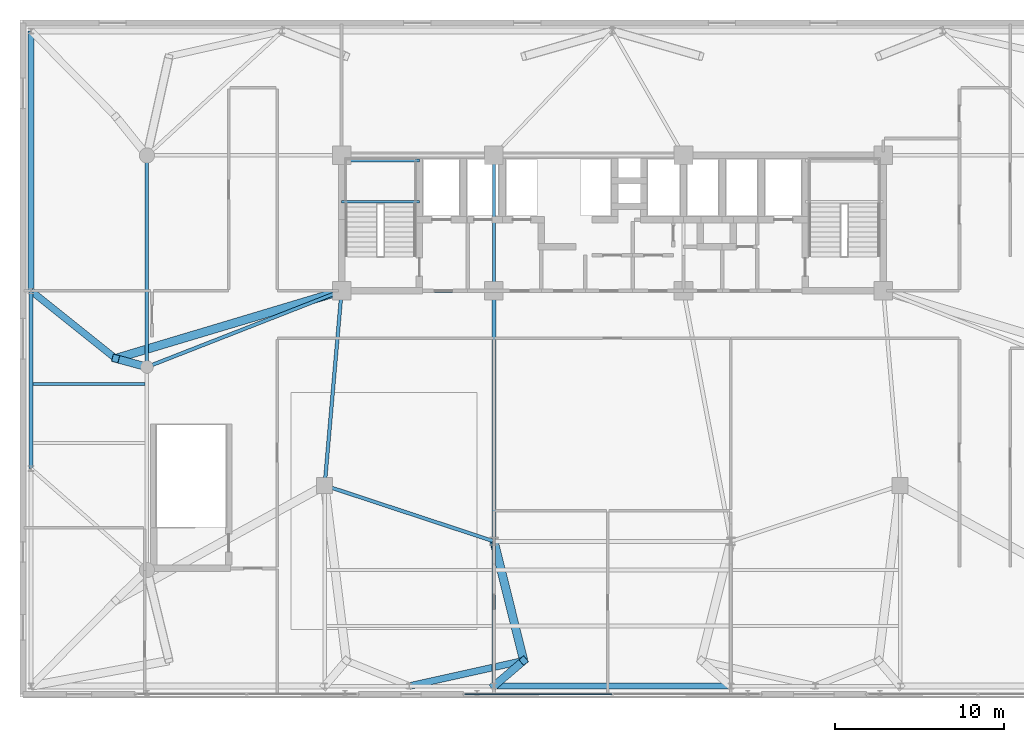
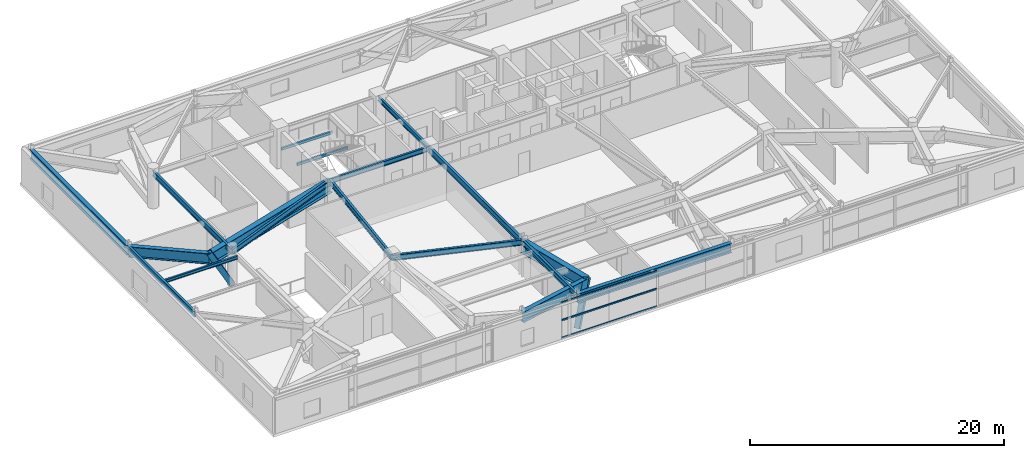
# One storey, part 10 of 27: 18 beams, 6 members, 2 elements without a shape of their own.
"""IFC4 building model written with IfcOpenShell, lengths in metres."""

import ifcopenshell
import ifcopenshell.guid

model = None  # the IFC model being written
_history = None  # IfcOwnerHistory: only IFC2X3 demands one
_inside = {}  # id of a spatial element -> (the spatial element, [elements in it])
_under = {}  # id of a project, library or spatial element -> (it, [spatial elements below it])
_declared = {}  # id of a project -> (the project, [libraries it declares])
_typed = {}  # id of a type object -> (the type object, [elements of that type])
_made_of = {}  # id of a material, layer set ... -> (it, [elements and type objects made of it])


def new_model(schema):
    """Start an empty IFC model of exactly this schema.

    Asked for "IFC4X3", IfcOpenShell would pick the latest addendum, in which some entities
    have other attributes; the version numbers below select the first issue.
    IFC2X3 requires an IfcOwnerHistory on every rooted entity: one is made here for all.
    """
    global model, _history
    if schema == "IFC4X3":
        model = ifcopenshell.file(schema_version=(4, 3, 0, 0))
    else:
        model = ifcopenshell.file(schema=schema)
    _inside.clear()
    _under.clear()
    _declared.clear()
    _typed.clear()
    _made_of.clear()
    _history = None
    if model.schema == "IFC2X3":
        org = make("IfcOrganization", Name="unknown")
        user = make(
            "IfcPersonAndOrganization",
            ThePerson=make("IfcPerson", FamilyName="unknown"),
            TheOrganization=org,
        )
        app = make(
            "IfcApplication",
            ApplicationDeveloper=org,
            Version="unknown",
            ApplicationFullName="unknown",
            ApplicationIdentifier="unknown",
        )
        _history = make(
            "IfcOwnerHistory",
            OwningUser=user,
            OwningApplication=app,
            ChangeAction="ADDED",
            CreationDate=0,
        )
    return model


def make(cls, **values):
    """One entity of the class cls with the attributes given. An attribute that is None is left unset."""
    return model.create_entity(
        cls, **{name: value for name, value in values.items() if value is not None}
    )


def rooted(cls, **values):
    """An entity with a GlobalId (a new one), such as an element, a storey or a relation."""
    return make(cls, GlobalId=ifcopenshell.guid.new(), OwnerHistory=_history, **values)


def si_unit(unit_type, name, prefix=None):
    """IfcSIUnit, for example si_unit("LENGTHUNIT", "METRE", prefix="MILLI")."""
    return make("IfcSIUnit", UnitType=unit_type, Prefix=prefix, Name=name)


def assignment(units):
    """IfcUnitAssignment: the units of a project."""
    return None if units is None else make("IfcUnitAssignment", Units=units)


def point(xyz):
    """IfcCartesianPoint."""
    return None if xyz is None else make("IfcCartesianPoint", Coordinates=xyz)


def direction(xyz):
    """IfcDirection."""
    return None if xyz is None else make("IfcDirection", DirectionRatios=xyz)


def frame(location, z_axis=None, x_axis=None):
    """IfcAxis2Placement3D, a coordinate frame: its origin and axes. An axis left out is left unset."""
    return make(
        "IfcAxis2Placement3D",
        Location=point(location),
        Axis=direction(z_axis),
        RefDirection=direction(x_axis),
    )


def frame_2d(location, x_axis=None):
    """IfcAxis2Placement2D, a coordinate frame in the plane: its origin and x axis."""
    return make(
        "IfcAxis2Placement2D", Location=point(location), RefDirection=direction(x_axis)
    )


def origin():
    """The frame at (0, 0, 0) with its axes left unset."""
    return frame((0.0, 0.0, 0.0))


def origin_2d():
    """The frame at (0, 0) in the plane with its x axis left unset."""
    return frame_2d((0.0, 0.0))


def place(relative_to, where):
    """IfcLocalPlacement: puts the frame where relative to a parent placement (None: the world)."""
    return make(
        "IfcLocalPlacement", PlacementRelTo=relative_to, RelativePlacement=where
    )


def context(
    kind, dimensions, precision=None, world=None, true_north=None, identifier=None
):
    """IfcGeometricRepresentationContext, for example the 3D "Model" context."""
    return make(
        "IfcGeometricRepresentationContext",
        ContextIdentifier=identifier,
        ContextType=kind,
        CoordinateSpaceDimension=dimensions,
        Precision=precision,
        WorldCoordinateSystem=world,
        TrueNorth=true_north,
    )


def subcontext(parent, identifier, kind, view, scale=None):
    """IfcGeometricRepresentationSubContext, for example "Body" below "Model"."""
    return make(
        "IfcGeometricRepresentationSubContext",
        ContextIdentifier=identifier,
        ContextType=kind,
        ParentContext=parent,
        TargetScale=scale,
        TargetView=view,
    )


def project(units=None, contexts=None):
    """IfcProject with its units and contexts."""
    return rooted(
        "IfcProject",
        Name="project",
        RepresentationContexts=contexts,
        UnitsInContext=assignment(units),
    )


def spatial(cls, under=None, at=None, **own):
    """A site, building, storey or space (cls), placed at a placement, below another one or the project."""
    s = rooted(cls, ObjectPlacement=at, **own)
    if under is not None:
        _under.setdefault(under.id(), (under, []))[1].append(s)
    return s


def profile(cls, at=None, kind="AREA", **sizes):
    """A parametric profile (cls). Its sizes go by their IFC names, for example OverallWidth=200.0."""
    return make(cls, ProfileType=kind, Position=at, **sizes)


def hollow_rectangle(**sizes):
    """IfcRectangleHollowProfileDef."""
    return profile("IfcRectangleHollowProfileDef", **sizes)


def i_section(**sizes):
    """IfcIShapeProfileDef."""
    return profile("IfcIShapeProfileDef", **sizes)


def extrude(swept, where, along, depth):
    """IfcExtrudedAreaSolid: the profile swept, set in the frame where, extruded along a direction by depth."""
    return make(
        "IfcExtrudedAreaSolid",
        SweptArea=swept,
        Position=where,
        ExtrudedDirection=direction(along),
        Depth=depth,
    )


def shape(context_of_items, identifier, shape_type, items):
    """IfcShapeRepresentation: the items that make up one representation, for example the "Body"."""
    return make(
        "IfcShapeRepresentation",
        ContextOfItems=context_of_items,
        RepresentationIdentifier=identifier,
        RepresentationType=shape_type,
        Items=items,
    )


def source(mapping_origin, context_of_items, identifier, shape_type, items):
    """IfcRepresentationMap: a shape defined once, which mapped items show again and again."""
    return make(
        "IfcRepresentationMap",
        MappingOrigin=mapping_origin,
        MappedRepresentation=shape(context_of_items, identifier, shape_type, items),
    )


def transform(
    local_origin,
    x_axis=None,
    y_axis=None,
    z_axis=None,
    scale=None,
    scale2=None,
    scale3=None,
    uniform=True,
):
    """IfcCartesianTransformationOperator3D, or its non-uniform kind. x_axis, y_axis, z_axis: its Axis1, 2, 3."""
    if uniform:
        return make(
            "IfcCartesianTransformationOperator3D",
            Axis1=direction(x_axis),
            Axis2=direction(y_axis),
            LocalOrigin=point(local_origin),
            Scale=scale,
            Axis3=direction(z_axis),
        )
    return make(
        "IfcCartesianTransformationOperator3DnonUniform",
        Axis1=direction(x_axis),
        Axis2=direction(y_axis),
        LocalOrigin=point(local_origin),
        Scale=scale,
        Axis3=direction(z_axis),
        Scale2=scale2,
        Scale3=scale3,
    )


def mapped(mapping_source, mapping_target):
    """IfcMappedItem: shows the shape of a source again, moved by a transform."""
    return make(
        "IfcMappedItem", MappingSource=mapping_source, MappingTarget=mapping_target
    )


def material(Name=None, Category=None):
    """IfcMaterial."""
    return make("IfcMaterial", Name=Name, Category=Category)


def layer(
    of_material, thickness, ventilated=None, Name=None, Category=None, Priority=None
):
    """IfcMaterialLayer: one layer of a wall or slab, of a material (None: an air gap)."""
    return make(
        "IfcMaterialLayer",
        Material=of_material,
        LayerThickness=thickness,
        IsVentilated=ventilated,
        Name=Name,
        Category=Category,
        Priority=Priority,
    )


def layer_set(layers, Name=None):
    """IfcMaterialLayerSet."""
    return make("IfcMaterialLayerSet", MaterialLayers=layers, LayerSetName=Name)


def material_profile(
    of_material, cross_section, Name=None, Category=None, Priority=None
):
    """IfcMaterialProfile: a cross section and its material."""
    return make(
        "IfcMaterialProfile",
        Name=Name,
        Material=of_material,
        Profile=cross_section,
        Priority=Priority,
        Category=Category,
    )


def profile_set(profiles, Name=None, composite=None):
    """IfcMaterialProfileSet."""
    return make(
        "IfcMaterialProfileSet",
        Name=Name,
        MaterialProfiles=profiles,
        CompositeProfile=composite,
    )


def made_of(thing, what):
    """Note that an element or type object is made of a material, layer set ...; save() writes the relation."""
    if what is not None:
        _made_of.setdefault(what.id(), (what, []))[1].append(thing)
    return thing


def type_object(cls, material=None, **own):
    """A type object (cls), such as IfcWallType, which elements share."""
    return made_of(rooted(cls, **own), material)


def element(
    cls,
    number,
    at=None,
    inside=None,
    cuts=None,
    type_object=None,
    material=None,
    context=None,
    identifier="Body",
    shape_type=None,
    held_by="IfcProductDefinitionShape",
    body=None,
    shapes=None,
    **own,
):
    """One element of the class cls, such as IfcWall. Its Tag is "e" and its number.

    at: its placement. inside: the storey or other place that contains it. cuts: it is an
    opening in that element (IfcRelVoidsElement). A single representation is given by context,
    identifier, shape_type and body (its items); several are given by shapes. held_by: the class
    of the entity that holds the representations. save() writes the other relations.
    """
    e = rooted(cls, Tag="e%d" % number, ObjectPlacement=at, **own)
    if body is not None:
        shapes = [shape(context, identifier, shape_type, body)]
    if shapes is not None:
        e.Representation = make(held_by, Representations=shapes)
    if inside is not None:
        _inside.setdefault(inside.id(), (inside, []))[1].append(e)
    if cuts is not None:
        rooted(
            "IfcRelVoidsElement", RelatingBuildingElement=cuts, RelatedOpeningElement=e
        )
    if type_object is not None:
        _typed.setdefault(type_object.id(), (type_object, []))[1].append(e)
    return made_of(e, material)


def aggregate(whole, parts):
    """IfcRelAggregates: a whole, such as a stair, and the parts it consists of."""
    return rooted("IfcRelAggregates", RelatingObject=whole, RelatedObjects=parts)


def save(model, path):
    """Write the relations noted so far, then the file.

    IfcRelAggregates (storeys below a building ...), IfcRelContainedInSpatialStructure (elements
    in a storey), IfcRelDefinesByType, IfcRelAssociatesMaterial and IfcRelDeclares: one each for
    every whole, place, type object, material and project.
    """
    for whole, parts in _under.values():
        aggregate(whole, parts)
    for where, things in _inside.values():
        rooted(
            "IfcRelContainedInSpatialStructure",
            RelatedElements=things,
            RelatingStructure=where,
        )
    for kind, things in _typed.values():
        rooted("IfcRelDefinesByType", RelatedObjects=things, RelatingType=kind)
    for what, things in _made_of.values():
        rooted("IfcRelAssociatesMaterial", RelatedObjects=things, RelatingMaterial=what)
    for by, libraries in _declared.values():
        rooted("IfcRelDeclares", RelatingContext=by, RelatedDefinitions=libraries)
    model.write(path)


model = new_model("IFC4")

# Units and contexts
model_context = context("Model", 3, precision=1e-05, world=origin(), true_north=direction((0.0, 1.0)))
body_context = subcontext(model_context, "Body", "Model", "MODEL_VIEW")
ifc_project = project(units=[si_unit("LENGTHUNIT", "METRE"), si_unit("AREAUNIT", "SQUARE_METRE"), si_unit("VOLUMEUNIT", "CUBIC_METRE"), si_unit("PLANEANGLEUNIT", "RADIAN"), si_unit("MASSUNIT", "GRAM", prefix="KILO")], contexts=[model_context])

# Site, building, storey
site_placement = place(None, origin())
site = spatial("IfcSite", under=ifc_project, at=site_placement, CompositionType="ELEMENT")
building_placement = place(site_placement, origin())
building = spatial("IfcBuilding", under=site, at=building_placement, Name="Taldren Reach Tower", CompositionType="ELEMENT")
storey_placement = place(building_placement, frame((0.0, 0.0, 12.949951171875)))
storey = spatial("IfcBuildingStorey", under=building, at=storey_placement, Name="L03", CompositionType="ELEMENT", Elevation=12.949951171875)

# Beams
ifc_material_1 = material(Name="Steel Gr 350 (350PLUS)", Category="steel")
ifc_material_profile_1 = material_profile(ifc_material_1, i_section(OverallWidth=0.19091796875, OverallDepth=0.4599609375, WebThickness=0.010009765625, FlangeThickness=0.01611328125, at=origin_2d()), Name="460UB82.1")
ifc_profile_set_1 = profile_set([ifc_material_profile_1], Name="Steel Gr 350 (350PLUS)")
beam_type_1 = type_object("IfcBeamType", Name="BM-UB460A", PredefinedType="BEAM", material=ifc_profile_set_1)
shared_shape_1 = source(origin(), body_context, "Body", "SweptSolid", [
    extrude(i_section(OverallWidth=0.19091796875, OverallDepth=0.4599609375, WebThickness=0.010009765625, FlangeThickness=0.01611328125, at=origin_2d()), origin(), (0.0, 0.0, 1.0), 9.0),
])
beam_1_placement = place(storey_placement, frame((19.0, 24.0, 3.199951171875), z_axis=(1.0, 0.0, 0.0), x_axis=(0.0, 1.0, 0.0)))
element("IfcBeam", 1, at=beam_1_placement, inside=storey, type_object=beam_type_1, Name="Core-spine girder L03-SP01", PredefinedType="BEAM", context=body_context, shape_type="MappedRepresentation", body=[
    mapped(shared_shape_1, transform((0.0, 0.0, 0.0), scale=1.0)),
])
shared_shape_2 = source(origin(), body_context, "Body", "SweptSolid", [
    extrude(i_section(OverallWidth=0.19091796875, OverallDepth=0.4599609375, WebThickness=0.010009765625, FlangeThickness=0.01611328125, at=origin_2d()), origin(), (0.0, 0.0, 1.0), 8.0),
])
beam_2_placement = place(storey_placement, frame((28.0, 24.0, 3.199951171875), z_axis=(0.0, 1.0, 0.0), x_axis=(-1.0, 0.0, 0.0)))
element("IfcBeam", 2, at=beam_2_placement, inside=storey, type_object=beam_type_1, Name="Core-spine girder L03-SP07", PredefinedType="BEAM", context=body_context, shape_type="MappedRepresentation", body=[
    mapped(shared_shape_2, transform((0.0, 0.0, 0.0), scale=1.0)),
])
ifc_material_profile_2 = material_profile(ifc_material_1, i_section(OverallWidth=0.208984375, OverallDepth=0.532958984375, WebThickness=0.01025390625, FlangeThickness=0.015625, at=origin_2d()), Name="530UB92.4")
ifc_profile_set_2 = profile_set([ifc_material_profile_2], Name="Steel Gr 350 (350PLUS)")
beam_type_2 = type_object("IfcBeamType", Name="BM-UB530A", PredefinedType="BEAM", material=ifc_profile_set_2)
shared_shape_3 = source(origin(), body_context, "Body", "SweptSolid", [
    extrude(i_section(OverallWidth=0.208984375, OverallDepth=0.532958984375, WebThickness=0.01025390625, FlangeThickness=0.015625, at=origin_2d()), origin(), (0.0, 0.0, 1.0), 11.54345703125),
])
beam_3_placement = place(storey_placement, frame((19.0, 24.0, 3.16357421875), z_axis=(-0.086629616365, -0.996240588196, 0.0), x_axis=(0.996240588196, -0.086629616365, 0.0)))
element("IfcBeam", 3, at=beam_3_placement, inside=storey, type_object=beam_type_2, Name="Core-spine girder L03-SP09", PredefinedType="BEAM", context=body_context, shape_type="MappedRepresentation", body=[
    mapped(shared_shape_3, transform((0.0, 0.0, 0.0), scale=1.0)),
])
shared_shape_4 = source(origin(), body_context, "Body", "SweptSolid", [
    extrude(i_section(OverallWidth=0.208984375, OverallDepth=0.532958984375, WebThickness=0.01025390625, FlangeThickness=0.015625, at=origin_2d()), origin(), (0.0, 0.0, 1.0), 10.530517578125),
])
beam_4_placement = place(storey_placement, frame((18.0, 12.5, 3.16357421875), z_axis=(0.949627269203, -0.313381635689, 0.0), x_axis=(0.313381635689, 0.949627269203, 0.0)))
element("IfcBeam", 4, at=beam_4_placement, inside=storey, type_object=beam_type_2, Name="Core-spine girder L03-SP10", PredefinedType="BEAM", context=body_context, shape_type="MappedRepresentation", body=[
    mapped(shared_shape_4, transform((0.0, 0.0, 0.0), scale=1.0)),
])
ifc_material_profile_3 = material_profile(ifc_material_1, i_section(OverallWidth=0.22802734375, OverallDepth=0.60205078125, WebThickness=0.010498046875, FlangeThickness=0.014892578125, at=origin_2d()), Name="610UB101")
ifc_profile_set_3 = profile_set([ifc_material_profile_3], Name="Steel Gr 350 (350PLUS)")
beam_type_3 = type_object("IfcBeamType", Name="BM-UB610B", PredefinedType="BEAM", material=ifc_profile_set_3)
shared_shape_5 = source(origin(), body_context, "Body", "SweptSolid", [
    extrude(i_section(OverallWidth=0.22802734375, OverallDepth=0.60205078125, WebThickness=0.010498046875, FlangeThickness=0.014892578125, at=origin_2d()), origin(), (0.0, 0.0, 1.0), 14.800048828125),
])
beam_5_placement = place(storey_placement, frame((28.0, 24.0, 3.129150390625), z_axis=(0.0, -1.0, 0.0), x_axis=(1.0, 0.0, 0.0)))
element("IfcBeam", 5, at=beam_5_placement, inside=storey, type_object=beam_type_3, Name="Core-spine girder L03-SP14", PredefinedType="BEAM", context=body_context, shape_type="MappedRepresentation", body=[
    mapped(shared_shape_5, transform((0.0, 0.0, 0.0), scale=1.0)),
])
ifc_material_profile_4 = material_profile(ifc_material_1, i_section(OverallWidth=0.35009765625, OverallDepth=0.916015625, WebThickness=0.013916015625, FlangeThickness=0.028076171875, at=origin_2d()), Name="900WB257")
ifc_profile_set_4 = profile_set([ifc_material_profile_4], Name="Steel Gr 350 (350PLUS)")
beam_type_4 = type_object("IfcBeamType", Name="BM-WB900", PredefinedType="BEAM", material=ifc_profile_set_4)
shared_shape_6 = source(origin(), body_context, "Body", "SweptSolid", [
    extrude(i_section(OverallWidth=0.35009765625, OverallDepth=0.916015625, WebThickness=0.013916015625, FlangeThickness=0.028076171875, at=origin_2d()), origin(), (0.0, 0.0, 1.0), 14.0),
])
beam_6_placement = place(storey_placement, frame((28.0, 0.64990234375, 2.97216796875), z_axis=(1.0, 0.0, 0.0), x_axis=(0.0, 1.0, 0.0)))
element("IfcBeam", 6, at=beam_6_placement, inside=storey, type_object=beam_type_4, Name="Podium girder L03-PD04", PredefinedType="BEAM", context=body_context, shape_type="MappedRepresentation", body=[
    mapped(shared_shape_6, transform((0.0, 0.0, 0.0), scale=1.0)),
])
ifc_material_profile_5 = material_profile(ifc_material_1, i_section(OverallWidth=0.208984375, OverallDepth=0.528076171875, WebThickness=0.009521484375, FlangeThickness=0.01318359375, at=origin_2d()), Name="530UB82.0")
ifc_profile_set_5 = profile_set([ifc_material_profile_5], Name="Steel Gr 350 (350PLUS)")
beam_type_5 = type_object("IfcBeamType", Name="SP-UB530B", PredefinedType="SPANDREL", material=ifc_profile_set_5)
shared_shape_7 = source(origin(), body_context, "Body", "SweptSolid", [
    extrude(i_section(OverallWidth=0.208984375, OverallDepth=0.528076171875, WebThickness=0.009521484375, FlangeThickness=0.01318359375, at=origin_2d()), origin(), (0.0, 0.0, 1.0), 10.5),
])
beam_7_placement = place(storey_placement, frame((0.64990234375, 13.5, 3.166015625), z_axis=(0.0, 1.0, 0.0), x_axis=(-1.0, 0.0, 0.0)))
element("IfcBeam", 7, at=beam_7_placement, inside=storey, type_object=beam_type_5, Name="Podium beam L03-PD13", PredefinedType="SPANDREL", context=body_context, shape_type="MappedRepresentation", body=[
    mapped(shared_shape_7, transform((0.0, 0.0, 0.0), scale=1.0)),
])
shared_shape_8 = source(origin(), body_context, "Body", "SweptSolid", [
    extrude(i_section(OverallWidth=0.35009765625, OverallDepth=0.916015625, WebThickness=0.013916015625, FlangeThickness=0.028076171875, at=origin_2d()), origin(), (0.0, 0.0, 1.0), 15.35009765625),
])
beam_8_placement = place(storey_placement, frame((0.64990234375, 24.0, 2.97216796875), z_axis=(0.0, 1.0, 0.0), x_axis=(-1.0, 0.0, 0.0)))
element("IfcBeam", 8, at=beam_8_placement, inside=storey, type_object=beam_type_4, Name="Podium girder L03-PD14", PredefinedType="BEAM", context=body_context, shape_type="MappedRepresentation", body=[
    mapped(shared_shape_8, transform((0.0, 0.0, 0.0), scale=1.0)),
])
shared_shape_9 = source(origin(), body_context, "Body", "SweptSolid", [
    extrude(i_section(OverallWidth=0.208984375, OverallDepth=0.532958984375, WebThickness=0.01025390625, FlangeThickness=0.015625, at=origin_2d()), origin(), (0.0, 0.0, 1.0), 12.5),
])
beam_9_placement = place(storey_placement, frame((7.5, 19.5, 3.16357421875), z_axis=(0.0, 1.0, 0.0), x_axis=(-1.0, 0.0, 0.0)))
element("IfcBeam", 9, at=beam_9_placement, inside=storey, type_object=beam_type_2, Name="Podium beam L03-PD20", PredefinedType="BEAM", context=body_context, shape_type="MappedRepresentation", body=[
    mapped(shared_shape_9, transform((0.0, 0.0, 0.0), scale=1.0)),
])
shared_shape_10 = source(origin(), body_context, "Body", "SweptSolid", [
    extrude(i_section(OverallWidth=0.208984375, OverallDepth=0.532958984375, WebThickness=0.01025390625, FlangeThickness=0.015625, at=origin_2d()), origin(), (0.0, 0.0, 1.0), 8.550048828125),
])
beam_10_placement = place(storey_placement, frame((28.0, 0.64990234375, 3.16357421875), z_axis=(0.0, 1.0, 0.0), x_axis=(-1.0, 0.0, 0.0)))
element("IfcBeam", 10, at=beam_10_placement, inside=storey, type_object=beam_type_2, Name="Podium beam L03-PD23", PredefinedType="BEAM", context=body_context, shape_type="MappedRepresentation", body=[
    mapped(shared_shape_10, transform((0.0, 0.0, 0.0), scale=1.0)),
])
shared_shape_11 = source(origin(), body_context, "Body", "SweptSolid", [
    extrude(i_section(OverallWidth=0.208984375, OverallDepth=0.532958984375, WebThickness=0.01025390625, FlangeThickness=0.015625, at=origin_2d()), origin(), (0.0, 0.0, 1.0), 12.34912109375),
])
beam_11_placement = place(storey_placement, frame((7.5, 19.5, 3.16357421875), z_axis=(0.931242779706, 0.364399348581, 0.0), x_axis=(-0.364399348581, 0.931242779706, 0.0)))
element("IfcBeam", 11, at=beam_11_placement, inside=storey, type_object=beam_type_2, Name="Podium beam L03-PD30", PredefinedType="BEAM", context=body_context, shape_type="MappedRepresentation", body=[
    mapped(shared_shape_11, transform((0.0, 0.0, 0.0), scale=1.0)),
])
ifc_material_2 = material(Name="Steel Gr 300 (300PLUS, 300 MPa)", Category="steel")
ifc_material_profile_6 = material_profile(ifc_material_2, i_section(OverallWidth=0.166015625, OverallDepth=0.306884765625, WebThickness=0.006591796875, FlangeThickness=0.01171875, at=origin_2d()), Name="310UB46.2")
ifc_profile_set_6 = profile_set([ifc_material_profile_6], Name="Steel Gr 300 (300PLUS, 300 MPa)")
beam_type_6 = type_object("IfcBeamType", Name="JS-UB310", PredefinedType="JOIST", material=ifc_profile_set_6)
shared_shape_12 = source(origin(), body_context, "Body", "SweptSolid", [
    extrude(i_section(OverallWidth=0.166015625, OverallDepth=0.306884765625, WebThickness=0.006591796875, FlangeThickness=0.01171875, at=origin_2d()), origin(), (0.0, 0.0, 1.0), 6.64111328125),
])
beam_12_placement = place(storey_placement, frame((0.75439453125, 18.5, 3.276611328125), z_axis=(1.0, 0.0, 0.0), x_axis=(0.0, 1.0, 0.0)))
element("IfcBeam", 12, at=beam_12_placement, inside=storey, type_object=beam_type_6, Name="Podium wing floor joist L03-4.1", PredefinedType="JOIST", context=body_context, shape_type="MappedRepresentation", body=[
    mapped(shared_shape_12, transform((0.0, 0.0, 0.0), scale=1.0)),
])

# Member
ifc_material_3 = material(Name="Steel Gr 450 (C450L0)", Category="steel")
ifc_material_profile_7 = material_profile(ifc_material_3, hollow_rectangle(XDim=0.4599609375, YDim=0.4599609375, WallThickness=0.01611328125, at=origin_2d()), Name="460x460x16.0SHS")
ifc_profile_set_7 = profile_set([ifc_material_profile_7], Name="Steel Gr 450 (C450L0)")
member_type_1 = type_object("IfcMemberType", Name="MB-EXO457", PredefinedType="BRACE", material=ifc_profile_set_7)
shared_shape_13 = source(origin(), body_context, "Body", "SweptSolid", [
    extrude(hollow_rectangle(XDim=0.4599609375, YDim=0.4599609375, WallThickness=0.01611328125, at=origin_2d()), origin(), (0.0, 0.0, 1.0), 4.1201171875),
])
member_1_placement = place(storey_placement, frame((28.0, 0.64990234375, 0.02001953125), z_axis=(0.427177588308, 0.364069788121, 0.827630652782), x_axis=(-0.648649975321, 0.761086860691, 0.0)))
element("IfcMember", 13, at=member_1_placement, inside=storey, type_object=member_type_1, Name="Portal and block transfer strut TS-B1-S3 L03", PredefinedType="BRACE", context=body_context, shape_type="MappedRepresentation", body=[
    mapped(shared_shape_13, transform((0.0, 0.0, 0.0), scale=1.0)),
])

# Beams
ifc_material_profile_8 = material_profile(ifc_material_1, i_section(OverallWidth=0.5, OverallDepth=1.199951171875, WebThickness=0.01611328125, FlangeThickness=0.0400390625, at=origin_2d()), Name="1200WB455")
ifc_profile_set_8 = profile_set([ifc_material_profile_8], Name="Steel Gr 350 (350PLUS)")
beam_type_7 = type_object("IfcBeamType", Name="BM-WB1200", PredefinedType="BEAM", material=ifc_profile_set_8)
shared_shape_14 = source(origin(), body_context, "Body", "SweptSolid", [
    extrude(i_section(OverallWidth=0.5, OverallDepth=1.199951171875, WebThickness=0.01611328125, FlangeThickness=0.0400390625, at=origin_2d()), origin(), (0.0, 0.0, 1.0), 7.266357421875),
])
beam_13_placement = place(storey_placement, frame((28.0, 9.199951171875, 2.830078125), z_axis=(0.24221148493, -0.970223477642, 0.0), x_axis=(0.970223477642, 0.24221148493, 0.0)))
element("IfcBeam", 14, at=beam_13_placement, inside=storey, type_object=beam_type_7, Name="Block transfer girder TG-B1-S3A on L03", PredefinedType="BEAM", context=body_context, shape_type="MappedRepresentation", body=[
    mapped(shared_shape_14, transform((0.0, 0.0, 0.0), scale=1.0)),
])
ifc_material_profile_9 = material_profile(ifc_material_1, i_section(OverallWidth=0.39990234375, OverallDepth=1.02392578125, WebThickness=0.01611328125, FlangeThickness=0.031982421875, at=origin_2d()), Name="1000WB322")
ifc_profile_set_9 = profile_set([ifc_material_profile_9], Name="Steel Gr 350 (350PLUS)")
beam_type_8 = type_object("IfcBeamType", Name="BM-WB1000", PredefinedType="BEAM", material=ifc_profile_set_9)
shared_shape_15 = source(origin(), body_context, "Body", "SweptSolid", [
    extrude(i_section(OverallWidth=0.39990234375, OverallDepth=1.02392578125, WebThickness=0.01611328125, FlangeThickness=0.031982421875, at=origin_2d()), origin(), (0.0, 0.0, 1.0), 6.92431640625),
])
beam_14_placement = place(storey_placement, frame((23.0, 0.64990234375, 2.91796875), z_axis=(0.976255039126, 0.21662432592, 0.0), x_axis=(-0.21662432592, 0.976255039126, 0.0)))
element("IfcBeam", 15, at=beam_14_placement, inside=storey, type_object=beam_type_8, Name="Block transfer tie girder TG-B1-S3B on L03", PredefinedType="BEAM", context=body_context, shape_type="MappedRepresentation", body=[
    mapped(shared_shape_15, transform((0.0, 0.0, 0.0), scale=1.0)),
])

# Member
shared_shape_16 = source(origin(), body_context, "Body", "SweptSolid", [
    extrude(hollow_rectangle(XDim=0.4599609375, YDim=0.4599609375, WallThickness=0.01611328125, at=origin_2d()), origin(), (0.0, 0.0, 1.0), 3.91162109375),
])
member_2_placement = place(storey_placement, frame((7.5, 19.5, 0.02001953125), z_axis=(-0.472981115128, 0.127825986247, 0.871750756795), x_axis=(-0.260896190657, -0.965366861717, 0.0)))
element("IfcMember", 16, at=member_2_placement, inside=storey, type_object=member_type_1, Name="Portal and block transfer strut TS-B1-W2 L03", PredefinedType="BRACE", context=body_context, shape_type="MappedRepresentation", body=[
    mapped(shared_shape_16, transform((0.0, 0.0, 0.0), scale=1.0)),
])

# Beams
shared_shape_17 = source(origin(), body_context, "Body", "SweptSolid", [
    extrude(i_section(OverallWidth=0.5, OverallDepth=1.199951171875, WebThickness=0.01611328125, FlangeThickness=0.0400390625, at=origin_2d()), origin(), (0.0, 0.0, 1.0), 13.9365234375),
])
beam_15_placement = place(storey_placement, frame((19.0, 24.0, 2.830078125), z_axis=(-0.957925550891, -0.287016792104, 0.0), x_axis=(0.287016792104, -0.957925550891, 0.0)))
element("IfcBeam", 17, at=beam_15_placement, inside=storey, type_object=beam_type_7, Name="Block transfer girder TG-B1-W2A on L03", PredefinedType="BEAM", context=body_context, shape_type="MappedRepresentation", body=[
    mapped(shared_shape_17, transform((0.0, 0.0, 0.0), scale=1.0)),
])
shared_shape_18 = source(origin(), body_context, "Body", "SweptSolid", [
    extrude(i_section(OverallWidth=0.39990234375, OverallDepth=1.02392578125, WebThickness=0.01611328125, FlangeThickness=0.031982421875, at=origin_2d()), origin(), (0.0, 0.0, 1.0), 6.403076171875),
])
beam_16_placement = place(storey_placement, frame((0.64990234375, 24.0, 2.91796875), z_axis=(0.780868809443, -0.624695047554, 0.0), x_axis=(0.624695047554, 0.780868809443, 0.0)))
element("IfcBeam", 18, at=beam_16_placement, inside=storey, type_object=beam_type_8, Name="Block transfer tie girder TG-B1-W2B on L03", PredefinedType="BEAM", context=body_context, shape_type="MappedRepresentation", body=[
    mapped(shared_shape_18, transform((0.0, 0.0, 0.0), scale=1.0)),
])

# Curtain wall, members
ifc_material_4 = material(Name="Aluminium and Low-E Glass Unitised System", Category="aluminium")
ifc_layer = layer(ifc_material_4, 0.159912109375)
ifc_layer_set = layer_set([ifc_layer], Name="Aluminium and Low-E Glass Unitised System")
curtain_wall_type = type_object("IfcCurtainWallType", Name="CW-SYS-1", PredefinedType="NOTDEFINED", material=ifc_layer_set)
curtain_wall_1_placement = place(storey_placement, origin())
curtain_wall_1 = element("IfcCurtainWall", 19, at=curtain_wall_1_placement, inside=storey, type_object=curtain_wall_type, Name="Unitised curtain wall CW1-L03-S2", PredefinedType="NOTDEFINED")
ifc_material_5 = material(Name="Anodised Aluminium 6063-T6", Category="aluminium")
ifc_material_profile_10 = material_profile(ifc_material_5, hollow_rectangle(XDim=0.06005859375, YDim=0.135009765625, WallThickness=0.00341796875, at=origin_2d()), Name="ALU-135x60x3.5RHS")
ifc_profile_set_10 = profile_set([ifc_material_profile_10], Name="Anodised Aluminium 6063-T6")
member_type_2 = type_object("IfcMemberType", Name="CW-TRN-150", PredefinedType="USERDEFINED", material=ifc_profile_set_10)
shared_shape_19 = source(origin(), body_context, "Body", "SweptSolid", [
    extrude(hollow_rectangle(XDim=0.06005859375, YDim=0.135009765625, WallThickness=0.00341796875, at=origin_2d()), origin(), (0.0, 0.0, 1.0), 8.695068359375),
])
member_3_placement = place(storey_placement, frame((26.27001953125, 0.169921875, 0.030029296875), z_axis=(1.0, 0.0, 0.0), x_axis=(0.0, 1.0, 0.0)))
member_3 = element("IfcMember", 20, at=member_3_placement, type_object=member_type_2, Name="CW-1 transom 1.1", ObjectType="TRANSOM", PredefinedType="USERDEFINED", context=body_context, shape_type="MappedRepresentation", body=[
    mapped(shared_shape_19, transform((0.0, 0.0, 0.0), scale=1.0)),
])
member_4_placement = place(storey_placement, frame((26.27001953125, 0.169921875, 1.68505859375), z_axis=(1.0, 0.0, 0.0), x_axis=(0.0, 1.0, 0.0)))
member_4 = element("IfcMember", 21, at=member_4_placement, type_object=member_type_2, Name="CW-1 transom 1.2", ObjectType="TRANSOM", PredefinedType="USERDEFINED", context=body_context, shape_type="MappedRepresentation", body=[
    mapped(shared_shape_19, transform((0.0, 0.0, 0.0), scale=1.0)),
])
aggregate(curtain_wall_1, [member_3, member_4])

curtain_wall_2_placement = place(storey_placement, origin())
curtain_wall_2 = element("IfcCurtainWall", 22, at=curtain_wall_2_placement, inside=storey, type_object=curtain_wall_type, Name="Unitised curtain wall CW1-L03-S2-T2", PredefinedType="NOTDEFINED")
member_5_placement = place(storey_placement, frame((26.27001953125, 0.169921875, 1.7451171875), z_axis=(1.0, 0.0, 0.0), x_axis=(0.0, 1.0, 0.0)))
member_5 = element("IfcMember", 23, at=member_5_placement, type_object=member_type_2, Name="CW-1 transom 1.1", ObjectType="TRANSOM", PredefinedType="USERDEFINED", context=body_context, shape_type="MappedRepresentation", body=[
    mapped(shared_shape_19, transform((0.0, 0.0, 0.0), scale=1.0)),
])
member_6_placement = place(storey_placement, frame((26.27001953125, 0.169921875, 3.400146484375), z_axis=(1.0, 0.0, 0.0), x_axis=(0.0, 1.0, 0.0)))
member_6 = element("IfcMember", 24, at=member_6_placement, type_object=member_type_2, Name="CW-1 transom 1.2", ObjectType="TRANSOM", PredefinedType="USERDEFINED", context=body_context, shape_type="MappedRepresentation", body=[
    mapped(shared_shape_19, transform((0.0, 0.0, 0.0), scale=1.0)),
])
aggregate(curtain_wall_2, [member_5, member_6])

# Beams
ifc_material_6 = material(Name="Steel Gr 350 (C350L0)", Category="steel")
ifc_material_profile_11 = material_profile(ifc_material_6, hollow_rectangle(XDim=0.14990234375, YDim=0.25, WallThickness=0.009033203125, at=origin_2d()), Name="250x150x9.0RHS")
ifc_profile_set_11 = profile_set([ifc_material_profile_11], Name="Steel Gr 350 (C350L0)")
beam_type_9 = type_object("IfcBeamType", Name="LN-RHS250", PredefinedType="LINTEL", material=ifc_profile_set_11)
shared_shape_20 = source(origin(), body_context, "Body", "SweptSolid", [
    extrude(hollow_rectangle(XDim=0.14990234375, YDim=0.25, WallThickness=0.009033203125, at=origin_2d()), origin(), (0.0, 0.0, 1.0), 4.60009765625),
])
for number, where, z_axis, x_axis, name in (
    (25, (19.0, 29.2548828125, 1.6201171875), (1.0, 0.0, 0.0), (0.0, 1.0, 0.0), "Stair half-landing support beam ST1-L03-1"),
    (26, (19.0, 31.699951171875, 1.6201171875), (1.0, 0.0, 0.0), (0.0, 1.0, 0.0), "Stair half-landing support beam ST1-L03-2"),
):
    element("IfcBeam", number, at=place(storey_placement, frame(where, z_axis=z_axis, x_axis=x_axis)), inside=storey, type_object=beam_type_9, Name=name, PredefinedType="LINTEL", context=body_context, shape_type="MappedRepresentation", body=[
        mapped(shared_shape_20, transform((0.0, 0.0, 0.0), scale=1.0)),
    ])

save(model, "model.ifc")
